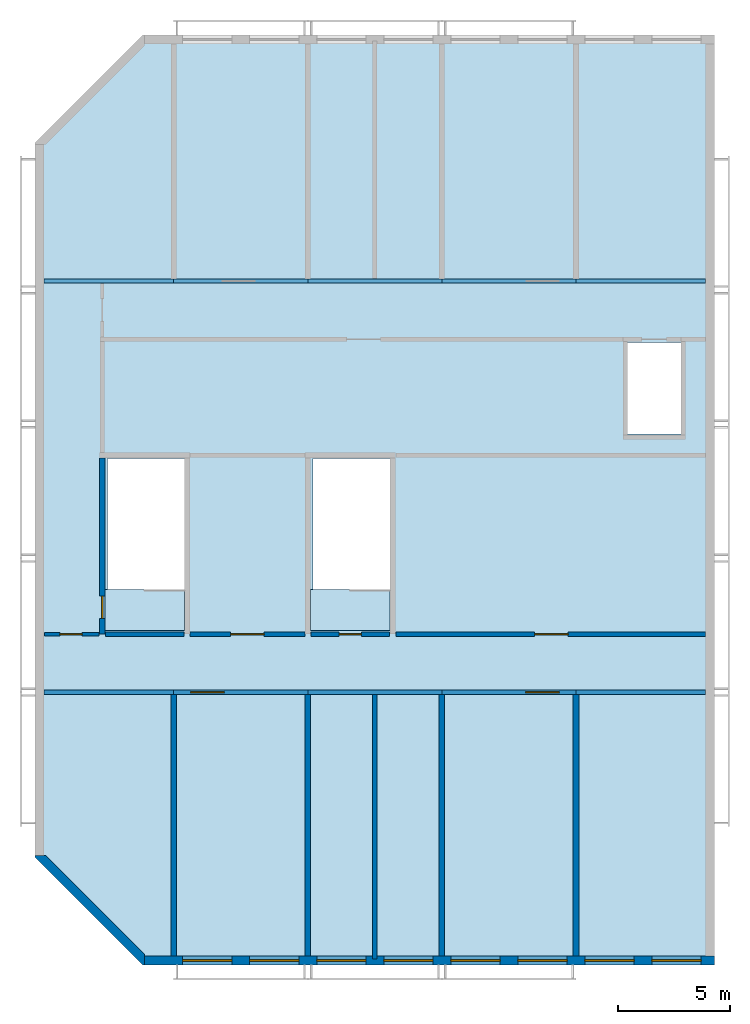
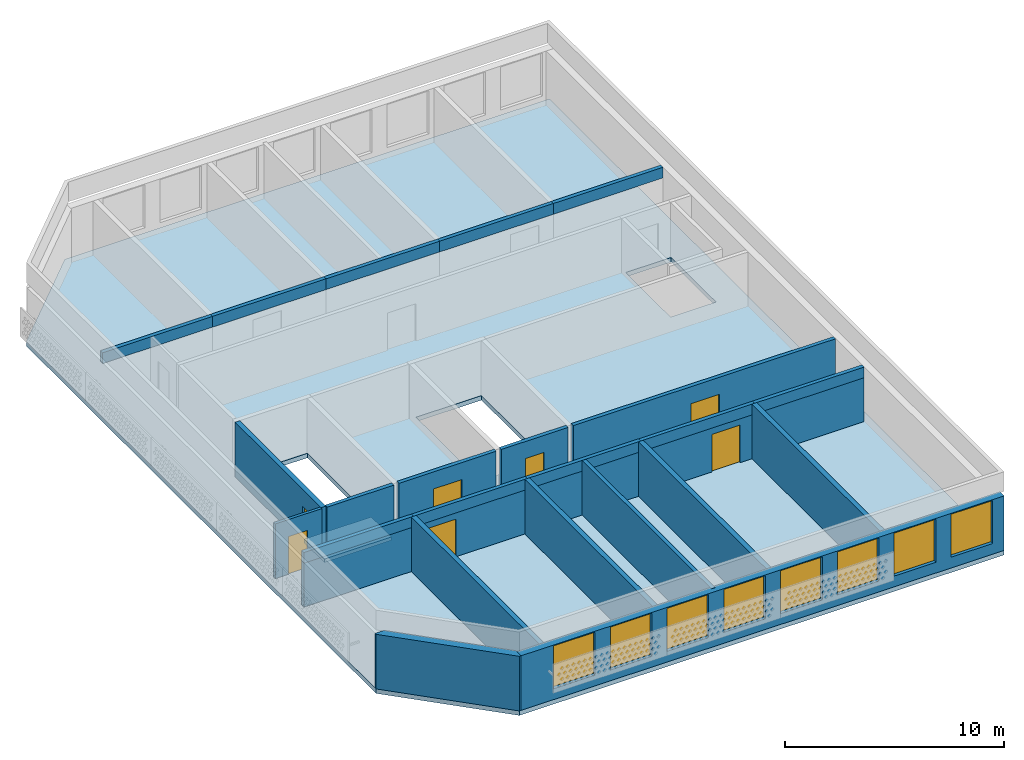
# One storey, part 1 of 7: 18 walls, 10 beams, 8 windows, 7 doors, 3 slabs, 15 openings.
"""IFC4 building model written with IfcOpenShell, lengths in metres."""

from ifc_helpers import new_model, si_unit, direction, frame, frame_2d, origin, origin_2d, place, context, subcontext, project, spatial, polyline, rectangle, outline, extrude, source, transform, mapped, material, layer, layer_set, material_profile, profile_set, type_object, element, fill, save


model = new_model("IFC4")

# Units and contexts
model_context = context("Model", 3, precision=1e-05, world=origin(), true_north=direction((0.0, 1.0)))
body_context = subcontext(model_context, "Body", "Model", "MODEL_VIEW")
ifc_project = project(units=[si_unit("LENGTHUNIT", "METRE"), si_unit("AREAUNIT", "SQUARE_METRE"), si_unit("VOLUMEUNIT", "CUBIC_METRE"), si_unit("PLANEANGLEUNIT", "RADIAN"), si_unit("MASSUNIT", "GRAM", prefix="KILO")], contexts=[model_context])

# Site, building, storey
site_placement = place(None, origin())
site = spatial("IfcSite", under=ifc_project, at=site_placement, CompositionType="ELEMENT")
building_placement = place(site_placement, origin())
building = spatial("IfcBuilding", under=site, at=building_placement, Name="Poui Terraces", CompositionType="ELEMENT")
storey_placement = place(building_placement, frame((0.0, 0.0, 288.89990234375)))
storey = spatial("IfcBuildingStorey", under=building, at=storey_placement, Name="L80 CROWN", CompositionType="ELEMENT", Elevation=288.89990234375)

# Beams
ifc_material_1 = material(Name="Concrete 50 MPa", Category="concrete")
ifc_material_profile = material_profile(ifc_material_1, rectangle(XDim=0.199951171875, YDim=0.60009765625, at=origin_2d()), Name="RC 200x600")
ifc_profile_set = profile_set([ifc_material_profile], Name="Concrete 50 MPa")
beam_type = type_object("IfcBeamType", Name="COUPLING BEAM 200x600 50MPa", PredefinedType="BEAM", material=ifc_profile_set)
shared_shape_1 = source(origin(), body_context, "Body", "SweptSolid", [
    extrude(rectangle(XDim=0.199951171875, YDim=0.60009765625, at=origin_2d()), origin(), (0.0, 0.0, 1.0), 5.800048828125),
])
for number, where, z_axis, x_axis, name in (
    (1, (18.199951171875, 12.0, 2.75), (1.0, 0.0, 0.0), (0.0, 1.0, 0.0), "COUPLING BEAM LINE B BAY W1"),
    (2, (42.0, 12.0, 2.75), (1.0, 0.0, 0.0), (0.0, 1.0, 0.0), "COUPLING BEAM LINE B BAY W5"),
    (3, (18.199951171875, 30.39990234375, 2.75), (1.0, 0.0, 0.0), (0.0, 1.0, 0.0), "COUPLING BEAM LINE E BAY W1"),
    (4, (42.0, 30.39990234375, 2.75), (1.0, 0.0, 0.0), (0.0, 1.0, 0.0), "COUPLING BEAM LINE E BAY W5"),
):
    element("IfcBeam", number, at=place(storey_placement, frame(where, z_axis=z_axis, x_axis=x_axis)), inside=storey, type_object=beam_type, Name=name, PredefinedType="BEAM", context=body_context, shape_type="MappedRepresentation", body=[
        mapped(shared_shape_1, transform((0.0, 0.0, 0.0))),
    ])
shared_shape_2 = source(origin(), body_context, "Body", "SweptSolid", [
    extrude(rectangle(XDim=0.199951171875, YDim=0.60009765625, at=origin_2d()), origin(), (0.0, 0.0, 1.0), 6.0),
])
for number, where, z_axis, x_axis, name in (
    (5, (24.0, 12.0, 2.75), (1.0, 0.0, 0.0), (0.0, 1.0, 0.0), "COUPLING BEAM LINE B BAY W2"),
    (6, (30.0, 12.0, 2.75), (1.0, 0.0, 0.0), (0.0, 1.0, 0.0), "COUPLING BEAM LINE B BAY W3"),
    (7, (36.0, 12.0, 2.75), (1.0, 0.0, 0.0), (0.0, 1.0, 0.0), "COUPLING BEAM LINE B BAY W4"),
    (8, (24.0, 30.39990234375, 2.75), (1.0, 0.0, 0.0), (0.0, 1.0, 0.0), "COUPLING BEAM LINE E BAY W2"),
    (9, (30.0, 30.39990234375, 2.75), (1.0, 0.0, 0.0), (0.0, 1.0, 0.0), "COUPLING BEAM LINE E BAY W3"),
    (10, (36.0, 30.39990234375, 2.75), (1.0, 0.0, 0.0), (0.0, 1.0, 0.0), "COUPLING BEAM LINE E BAY W4"),
):
    element("IfcBeam", number, at=place(storey_placement, frame(where, z_axis=z_axis, x_axis=x_axis)), inside=storey, type_object=beam_type, Name=name, PredefinedType="BEAM", context=body_context, shape_type="MappedRepresentation", body=[
        mapped(shared_shape_2, transform((0.0, 0.0, 0.0))),
    ])

# Slabs
ifc_layer_1 = layer(ifc_material_1, 0.199951171875)
ifc_layer_set_1 = layer_set([ifc_layer_1], Name="Concrete 50 MPa")
slab_type_1 = type_object("IfcSlabType", Name="STAIR LANDING 200 50 MPA", PredefinedType="LANDING", material=ifc_layer_set_1)
slab_1_placement = place(storey_placement, frame((0.0, 0.0, -0.199951171875)))
element("IfcSlab", 11, at=slab_1_placement, inside=storey, type_object=slab_type_1, Name="ST-CW floor landing L80 CROWN", PredefinedType="LANDING", context=body_context, shape_type="SweptSolid", body=[
    extrude(outline(polyline([(30.125, 14.75), (33.675048828125, 14.75), (33.675048828125, 16.60009765625), (30.125, 16.60009765625), (30.125, 14.75)])), origin(), (0.0, 0.0, 1.0), 0.199951171875),
])
slab_2_placement = place(storey_placement, frame((0.0, 0.0, -0.199951171875)))
element("IfcSlab", 12, at=slab_2_placement, inside=storey, type_object=slab_type_1, Name="ST-W floor landing L80 CROWN", PredefinedType="LANDING", context=body_context, shape_type="SweptSolid", body=[
    extrude(outline(polyline([(20.925048828125, 14.75), (24.47509765625, 14.75), (24.47509765625, 16.60009765625), (20.925048828125, 16.60009765625), (20.925048828125, 14.75)])), origin(), (0.0, 0.0, 1.0), 0.199951171875),
])
ifc_material_2 = material(Name="Concrete 40 MPa", Category="concrete")
ifc_layer_2 = layer(ifc_material_2, 0.25)
ifc_layer_set_2 = layer_set([ifc_layer_2], Name="Concrete 40 MPa")
slab_type_2 = type_object("IfcSlabType", Name="FLOOR SLAB 250", PredefinedType="FLOOR", material=ifc_layer_set_2)
shared_shape_3 = source(origin(), body_context, "Body", "SweptSolid", [
    extrude(outline(polyline([(0.0, 0.0), (4.800048828125, -4.800048828125), (30.39990234375, -4.800048828125), (30.39990234375, 36.7998046875), (4.800048828125, 36.7998046875), (0.0, 32.0), (0.0, 0.0)]), holes=[polyline([(3.125, 10.14990234375), (3.125, 12.0), (3.224853515625, 12.0), (3.224853515625, 17.849853515625), (6.675048828125, 17.849853515625), (6.675048828125, 12.0), (6.675048828125, 10.14990234375), (3.125, 10.14990234375)]), polyline([(12.324951171875, 12.0), (12.425048828125, 12.0), (12.425048828125, 17.849853515625), (15.875, 17.849853515625), (15.875, 12.0), (15.875, 10.14990234375), (12.324951171875, 10.14990234375), (12.324951171875, 12.0)]), polyline([(28.89990234375, 23.0498046875), (28.89990234375, 18.949951171875), (26.5, 18.949951171875), (26.5, 23.0498046875), (28.89990234375, 23.0498046875)])]), origin(), (0.0, 0.0, 1.0), 0.25),
])
slab_3_placement = place(storey_placement, frame((17.800048828125, 4.60009765625, -0.25)))
element("IfcSlab", 13, at=slab_3_placement, inside=storey, type_object=slab_type_2, Name="FLOOR SLAB", PredefinedType="FLOOR", context=body_context, shape_type="MappedRepresentation", body=[
    mapped(shared_shape_3, transform((0.0, 0.0, 0.0))),
])

# Wall, opening, door
ifc_material_3 = material(Name="Fire-rated plasterboard wall")
ifc_layer_3 = layer(ifc_material_3, 0.14990234375)
ifc_layer_set_3 = layer_set([ifc_layer_3], Name="Fire-rated plasterboard wall")
wall_type_1 = type_object("IfcWallType", Name="CORRIDOR WALL 150", PredefinedType="PARTITIONING", material=ifc_layer_set_3)
wall_1_placement = place(storey_placement, frame((18.2099609375, 14.60009765625, 0.0), z_axis=(0.0, 0.0, 1.0), x_axis=(1.0, 0.0, 0.0)))
wall_1 = element("IfcWall", 14, at=wall_1_placement, inside=storey, type_object=wall_type_1, Name="CORRIDOR WALL 150", PredefinedType="PARTITIONING", context=body_context, shape_type="SweptSolid", body=[
    extrude(rectangle(XDim=2.455078125, YDim=0.14990234375, at=frame_2d((1.2275390625, 0.0))), origin(), (0.0, 0.0, 1.0), 3.050048828125),
])
opening_1_placement = place(wall_1_placement, frame((0.68994140625, 0.0, 0.0)))
opening_1 = element("IfcOpeningElement", 15, at=opening_1_placement, cuts=wall_1, Name="Opening FDL", PredefinedType="OPENING", context=body_context, shape_type="SweptSolid", body=[
    extrude(rectangle(XDim=1.0, YDim=2.10009765625, at=frame_2d((0.5, 1.050048828125))), frame((0.0, 0.0849609375, 0.0), z_axis=(0.0, -1.0, 0.0), x_axis=(1.0, 0.0, 0.0)), (0.0, 0.0, 1.0), 0.169921875),
])
ifc_material_4 = material(Name="Steel fire door", Category="steel")
door_type_1 = type_object("IfcDoorType", Name="LOBBY FIRE DOOR 1000 X 2100", OperationType="NOTDEFINED", PredefinedType="DOOR", material=ifc_material_4)
door_1_placement = place(opening_1_placement, origin())
door_1 = element("IfcDoor", 16, at=door_1_placement, inside=storey, type_object=door_type_1, Name="LOBBY FIRE DOOR 009", OperationType="SINGLE_SWING_LEFT", OverallHeight=2.10009765625, OverallWidth=1.0, PredefinedType="DOOR", context=body_context, shape_type="SweptSolid", body=[
    extrude(rectangle(XDim=1.0, YDim=2.10009765625, at=frame_2d((0.5, 1.050048828125))), frame((0.0, 0.02490234375, 0.0), z_axis=(0.0, -1.0, 0.0), x_axis=(1.0, 0.0, 0.0)), (0.0, 0.0, 1.0), 0.050048828125),
])
fill(opening_1, door_1)

# Wall
ifc_layer_4 = layer(ifc_material_1, 0.199951171875)
ifc_layer_set_4 = layer_set([ifc_layer_4], Name="Concrete 50 MPa")
wall_type_2 = type_object("IfcWallType", Name="CORRIDOR WALL 200 50MPa", PredefinedType="SHEAR", material=ifc_layer_set_4)
wall_2_placement = place(storey_placement, frame((18.199951171875, 12.0, 0.0), z_axis=(0.0, 0.0, 1.0), x_axis=(1.0, 0.0, 0.0)))
element("IfcWall", 17, at=wall_2_placement, inside=storey, type_object=wall_type_2, Name="CORRIDOR WALL LINE B BAY W1", PredefinedType="SHEAR", context=body_context, shape_type="SweptSolid", body=[
    extrude(rectangle(XDim=5.800048828125, YDim=0.199951171875, at=frame_2d((2.89990234375, 0.0))), origin(), (0.0, 0.0, 1.0), 2.4501953125),
])

# Wall, opening, door
wall_3_placement = place(storey_placement, frame((24.0, 12.0, 0.0), z_axis=(0.0, 0.0, 1.0), x_axis=(1.0, 0.0, 0.0)))
wall_3 = element("IfcWall", 18, at=wall_3_placement, inside=storey, type_object=wall_type_2, Name="CORRIDOR WALL LINE B BAY W2", PredefinedType="SHEAR", context=body_context, shape_type="SweptSolid", body=[
    extrude(rectangle(XDim=6.0, YDim=0.199951171875, at=frame_2d((3.0, 0.0))), origin(), (0.0, 0.0, 1.0), 2.4501953125),
])
opening_2_placement = place(wall_3_placement, frame((0.75, 0.0, 0.0)))
opening_2 = element("IfcOpeningElement", 19, at=opening_2_placement, cuts=wall_3, Name="Opening FDP", PredefinedType="OPENING", context=body_context, shape_type="SweptSolid", body=[
    extrude(rectangle(XDim=1.5, YDim=2.10009765625, at=frame_2d((0.75, 1.050048828125))), frame((0.0, 0.10986328125, 0.0), z_axis=(0.0, -1.0, 0.0), x_axis=(1.0, 0.0, 0.0)), (0.0, 0.0, 1.0), 0.219970703125),
])
door_type_2 = type_object("IfcDoorType", Name="PLANT ROOM DOOR PAIR 1500 X 2100", OperationType="DOUBLE_DOOR_SINGLE_SWING", PredefinedType="DOOR", material=ifc_material_4)
door_2_placement = place(opening_2_placement, origin())
door_2 = element("IfcDoor", 20, at=door_2_placement, inside=storey, type_object=door_type_2, Name="PLANT ROOM DOOR PAIR 005", OperationType="DOUBLE_DOOR_SINGLE_SWING", OverallHeight=2.10009765625, OverallWidth=1.5, PredefinedType="DOOR", context=body_context, shape_type="SweptSolid", body=[
    extrude(rectangle(XDim=1.5, YDim=2.10009765625, at=frame_2d((0.75, 1.050048828125))), frame((0.0, 0.02490234375, 0.0), z_axis=(0.0, -1.0, 0.0), x_axis=(1.0, 0.0, 0.0)), (0.0, 0.0, 1.0), 0.050048828125),
])
fill(opening_2, door_2)

# Wall
wall_4_placement = place(storey_placement, frame((30.0, 12.0, 0.0), z_axis=(0.0, 0.0, 1.0), x_axis=(1.0, 0.0, 0.0)))
element("IfcWall", 21, at=wall_4_placement, inside=storey, type_object=wall_type_2, Name="CORRIDOR WALL LINE B BAY W3", PredefinedType="SHEAR", context=body_context, shape_type="SweptSolid", body=[
    extrude(rectangle(XDim=6.0, YDim=0.199951171875, at=frame_2d((3.0, 0.0))), origin(), (0.0, 0.0, 1.0), 2.4501953125),
])

# Wall, opening, door
wall_5_placement = place(storey_placement, frame((36.0, 12.0, 0.0), z_axis=(0.0, 0.0, 1.0), x_axis=(1.0, 0.0, 0.0)))
wall_5 = element("IfcWall", 22, at=wall_5_placement, inside=storey, type_object=wall_type_2, Name="CORRIDOR WALL LINE B BAY W4", PredefinedType="SHEAR", context=body_context, shape_type="SweptSolid", body=[
    extrude(rectangle(XDim=6.0, YDim=0.199951171875, at=frame_2d((3.0, 0.0))), origin(), (0.0, 0.0, 1.0), 2.4501953125),
])
opening_3_placement = place(wall_5_placement, frame((3.75, 0.0, 0.0)))
opening_3 = element("IfcOpeningElement", 23, at=opening_3_placement, cuts=wall_5, Name="Opening FDP", PredefinedType="OPENING", context=body_context, shape_type="SweptSolid", body=[
    extrude(rectangle(XDim=1.5, YDim=2.10009765625, at=frame_2d((0.75, 1.050048828125))), frame((0.0, 0.10986328125, 0.0), z_axis=(0.0, -1.0, 0.0), x_axis=(1.0, 0.0, 0.0)), (0.0, 0.0, 1.0), 0.219970703125),
])
door_3_placement = place(opening_3_placement, origin())
door_3 = element("IfcDoor", 24, at=door_3_placement, inside=storey, type_object=door_type_2, Name="PLANT ROOM DOOR PAIR 007", OperationType="DOUBLE_DOOR_SINGLE_SWING", OverallHeight=2.10009765625, OverallWidth=1.5, PredefinedType="DOOR", context=body_context, shape_type="SweptSolid", body=[
    extrude(rectangle(XDim=1.5, YDim=2.10009765625, at=frame_2d((0.75, 1.050048828125))), frame((0.0, 0.02490234375, 0.0), z_axis=(0.0, -1.0, 0.0), x_axis=(1.0, 0.0, 0.0)), (0.0, 0.0, 1.0), 0.050048828125),
])
fill(opening_3, door_3)

# Walls
wall_6_placement = place(storey_placement, frame((42.0, 12.0, 0.0), z_axis=(0.0, 0.0, 1.0), x_axis=(1.0, 0.0, 0.0)))
element("IfcWall", 25, at=wall_6_placement, inside=storey, type_object=wall_type_2, Name="CORRIDOR WALL LINE B BAY W5", PredefinedType="SHEAR", context=body_context, shape_type="SweptSolid", body=[
    extrude(rectangle(XDim=5.800048828125, YDim=0.199951171875, at=frame_2d((2.89990234375, 0.0))), origin(), (0.0, 0.0, 1.0), 2.4501953125),
])
ifc_layer_5 = layer(ifc_material_1, 0.25)
ifc_layer_set_5 = layer_set([ifc_layer_5], Name="Concrete 50 MPa")
wall_type_3 = type_object("IfcWallType", Name="CROSS WALL 250 50MPa", PredefinedType="SHEAR", material=ifc_layer_set_5)
for number, where, z_axis, x_axis, name in (
    (26, (24.0, 0.199951171875, 0.0), (0.0, 0.0, 1.0), (0.0, 1.0, 0.0), "CROSS WALL LINE 5 SOUTH"),
    (27, (30.0, 0.199951171875, 0.0), (0.0, 0.0, 1.0), (0.0, 1.0, 0.0), "CROSS WALL LINE 6 SOUTH"),
    (28, (36.0, 0.199951171875, 0.0), (0.0, 0.0, 1.0), (0.0, 1.0, 0.0), "CROSS WALL LINE 7 SOUTH"),
    (29, (42.0, 0.199951171875, 0.0), (0.0, 0.0, 1.0), (0.0, 1.0, 0.0), "CROSS WALL LINE 8 SOUTH"),
):
    element("IfcWall", number, at=place(storey_placement, frame(where, z_axis=z_axis, x_axis=x_axis)), inside=storey, type_object=wall_type_3, Name=name, PredefinedType="SHEAR", context=body_context, shape_type="SweptSolid", body=[
        extrude(rectangle(XDim=11.699951171875, YDim=0.25, at=frame_2d((5.85009765625, 0.0))), origin(), (0.0, 0.0, 1.0), 3.050048828125),
    ])

# Wall, openings, windows
ifc_material_5 = material(Name="Precast concrete 40 MPa", Category="concrete")
ifc_layer_6 = layer(ifc_material_5, 0.39990234375)
ifc_layer_set_6 = layer_set([ifc_layer_6], Name="Precast concrete 40 MPa")
wall_type_4 = type_object("IfcWallType", Name="EXTERNAL WALL 400", PredefinedType="STANDARD", material=ifc_layer_set_6)
wall_7_placement = place(storey_placement, frame((22.682861328125, 0.0, 0.0), z_axis=(0.0, 0.0, 1.0), x_axis=(1.0, 0.0, 0.0)))
wall_7 = element("IfcWall", 30, at=wall_7_placement, inside=storey, type_object=wall_type_4, Name="EXTERNAL WALL S", PredefinedType="STANDARD", context=body_context, shape_type="SweptSolid", body=[
    extrude(rectangle(XDim=25.51708984375, YDim=0.39990234375, at=frame_2d((12.758544921875, 0.0))), origin(), (0.0, 0.0, 1.0), 3.050048828125),
])
opening_4_placement = place(wall_7_placement, frame((1.71728515625, 0.0, 0.60009765625)))
opening_4 = element("IfcOpeningElement", 31, at=opening_4_placement, cuts=wall_7, Name="Opening W5", PredefinedType="OPENING", context=body_context, shape_type="SweptSolid", body=[
    extrude(rectangle(XDim=2.199951171875, YDim=2.39990234375, at=frame_2d((1.10009765625, 1.199951171875))), frame((0.0, 0.2099609375, 0.0), z_axis=(0.0, -1.0, 0.0), x_axis=(1.0, 0.0, 0.0)), (0.0, 0.0, 1.0), 0.419921875),
])
opening_5_placement = place(wall_7_placement, frame((4.71728515625, 0.0, 0.60009765625)))
opening_5 = element("IfcOpeningElement", 32, at=opening_5_placement, cuts=wall_7, Name="Opening W5", PredefinedType="OPENING", context=body_context, shape_type="SweptSolid", body=[
    extrude(rectangle(XDim=2.199951171875, YDim=2.39990234375, at=frame_2d((1.10009765625, 1.199951171875))), frame((0.0, 0.2099609375, 0.0), z_axis=(0.0, -1.0, 0.0), x_axis=(1.0, 0.0, 0.0)), (0.0, 0.0, 1.0), 0.419921875),
])
opening_6_placement = place(wall_7_placement, frame((7.71728515625, 0.0, 0.60009765625)))
opening_6 = element("IfcOpeningElement", 33, at=opening_6_placement, cuts=wall_7, Name="Opening W5", PredefinedType="OPENING", context=body_context, shape_type="SweptSolid", body=[
    extrude(rectangle(XDim=2.199951171875, YDim=2.39990234375, at=frame_2d((1.10009765625, 1.199951171875))), frame((0.0, 0.2099609375, 0.0), z_axis=(0.0, -1.0, 0.0), x_axis=(1.0, 0.0, 0.0)), (0.0, 0.0, 1.0), 0.419921875),
])
opening_7_placement = place(wall_7_placement, frame((10.71728515625, 0.0, 0.60009765625)))
opening_7 = element("IfcOpeningElement", 34, at=opening_7_placement, cuts=wall_7, Name="Opening W5", PredefinedType="OPENING", context=body_context, shape_type="SweptSolid", body=[
    extrude(rectangle(XDim=2.199951171875, YDim=2.39990234375, at=frame_2d((1.10009765625, 1.199951171875))), frame((0.0, 0.2099609375, 0.0), z_axis=(0.0, -1.0, 0.0), x_axis=(1.0, 0.0, 0.0)), (0.0, 0.0, 1.0), 0.419921875),
])
opening_8_placement = place(wall_7_placement, frame((13.71728515625, 0.0, 0.60009765625)))
opening_8 = element("IfcOpeningElement", 35, at=opening_8_placement, cuts=wall_7, Name="Opening W5", PredefinedType="OPENING", context=body_context, shape_type="SweptSolid", body=[
    extrude(rectangle(XDim=2.199951171875, YDim=2.39990234375, at=frame_2d((1.10009765625, 1.199951171875))), frame((0.0, 0.2099609375, 0.0), z_axis=(0.0, -1.0, 0.0), x_axis=(1.0, 0.0, 0.0)), (0.0, 0.0, 1.0), 0.419921875),
])
opening_9_placement = place(wall_7_placement, frame((16.71728515625, 0.0, 0.60009765625)))
opening_9 = element("IfcOpeningElement", 36, at=opening_9_placement, cuts=wall_7, Name="Opening W5", PredefinedType="OPENING", context=body_context, shape_type="SweptSolid", body=[
    extrude(rectangle(XDim=2.199951171875, YDim=2.39990234375, at=frame_2d((1.10009765625, 1.199951171875))), frame((0.0, 0.2099609375, 0.0), z_axis=(0.0, -1.0, 0.0), x_axis=(1.0, 0.0, 0.0)), (0.0, 0.0, 1.0), 0.419921875),
])
opening_10_placement = place(wall_7_placement, frame((19.71728515625, 0.0, 0.60009765625)))
opening_10 = element("IfcOpeningElement", 37, at=opening_10_placement, cuts=wall_7, Name="Opening W5", PredefinedType="OPENING", context=body_context, shape_type="SweptSolid", body=[
    extrude(rectangle(XDim=2.199951171875, YDim=2.39990234375, at=frame_2d((1.10009765625, 1.199951171875))), frame((0.0, 0.2099609375, 0.0), z_axis=(0.0, -1.0, 0.0), x_axis=(1.0, 0.0, 0.0)), (0.0, 0.0, 1.0), 0.419921875),
])
opening_11_placement = place(wall_7_placement, frame((22.71728515625, 0.0, 0.60009765625)))
opening_11 = element("IfcOpeningElement", 38, at=opening_11_placement, cuts=wall_7, Name="Opening W5", PredefinedType="OPENING", context=body_context, shape_type="SweptSolid", body=[
    extrude(rectangle(XDim=2.199951171875, YDim=2.39990234375, at=frame_2d((1.10009765625, 1.199951171875))), frame((0.0, 0.2099609375, 0.0), z_axis=(0.0, -1.0, 0.0), x_axis=(1.0, 0.0, 0.0)), (0.0, 0.0, 1.0), 0.419921875),
])
ifc_material_6 = material(Name="Clear glass in aluminium frame", Category="aluminium")
window_type = type_object("IfcWindowType", Name="WINDOW 2200X2400", PartitioningType="TRIPLE_PANEL_HORIZONTAL", PredefinedType="WINDOW", material=ifc_material_6)
window_1_placement = place(opening_4_placement, origin())
window_1 = element("IfcWindow", 39, at=window_1_placement, inside=storey, type_object=window_type, Name="W5 WINDOW", OverallHeight=2.39990234375, OverallWidth=2.199951171875, PartitioningType="TRIPLE_PANEL_HORIZONTAL", PredefinedType="WINDOW", context=body_context, shape_type="SweptSolid", body=[
    extrude(rectangle(XDim=2.199951171875, YDim=2.39990234375, at=frame_2d((1.10009765625, 1.199951171875))), frame((0.0, 0.030029296875, 0.0), z_axis=(0.0, -1.0, 0.0), x_axis=(1.0, 0.0, 0.0)), (0.0, 0.0, 1.0), 0.06005859375),
])
fill(opening_4, window_1)
window_2_placement = place(opening_5_placement, origin())
window_2 = element("IfcWindow", 40, at=window_2_placement, inside=storey, type_object=window_type, Name="W5 WINDOW", OverallHeight=2.39990234375, OverallWidth=2.199951171875, PartitioningType="TRIPLE_PANEL_HORIZONTAL", PredefinedType="WINDOW", context=body_context, shape_type="SweptSolid", body=[
    extrude(rectangle(XDim=2.199951171875, YDim=2.39990234375, at=frame_2d((1.10009765625, 1.199951171875))), frame((0.0, 0.030029296875, 0.0), z_axis=(0.0, -1.0, 0.0), x_axis=(1.0, 0.0, 0.0)), (0.0, 0.0, 1.0), 0.06005859375),
])
fill(opening_5, window_2)
window_3_placement = place(opening_6_placement, origin())
window_3 = element("IfcWindow", 41, at=window_3_placement, inside=storey, type_object=window_type, Name="W5 WINDOW", OverallHeight=2.39990234375, OverallWidth=2.199951171875, PartitioningType="TRIPLE_PANEL_HORIZONTAL", PredefinedType="WINDOW", context=body_context, shape_type="SweptSolid", body=[
    extrude(rectangle(XDim=2.199951171875, YDim=2.39990234375, at=frame_2d((1.10009765625, 1.199951171875))), frame((0.0, 0.030029296875, 0.0), z_axis=(0.0, -1.0, 0.0), x_axis=(1.0, 0.0, 0.0)), (0.0, 0.0, 1.0), 0.06005859375),
])
fill(opening_6, window_3)
window_4_placement = place(opening_7_placement, origin())
window_4 = element("IfcWindow", 42, at=window_4_placement, inside=storey, type_object=window_type, Name="W5 WINDOW", OverallHeight=2.39990234375, OverallWidth=2.199951171875, PartitioningType="TRIPLE_PANEL_HORIZONTAL", PredefinedType="WINDOW", context=body_context, shape_type="SweptSolid", body=[
    extrude(rectangle(XDim=2.199951171875, YDim=2.39990234375, at=frame_2d((1.10009765625, 1.199951171875))), frame((0.0, 0.030029296875, 0.0), z_axis=(0.0, -1.0, 0.0), x_axis=(1.0, 0.0, 0.0)), (0.0, 0.0, 1.0), 0.06005859375),
])
fill(opening_7, window_4)
window_5_placement = place(opening_8_placement, origin())
window_5 = element("IfcWindow", 43, at=window_5_placement, inside=storey, type_object=window_type, Name="W5 WINDOW", OverallHeight=2.39990234375, OverallWidth=2.199951171875, PartitioningType="TRIPLE_PANEL_HORIZONTAL", PredefinedType="WINDOW", context=body_context, shape_type="SweptSolid", body=[
    extrude(rectangle(XDim=2.199951171875, YDim=2.39990234375, at=frame_2d((1.10009765625, 1.199951171875))), frame((0.0, 0.030029296875, 0.0), z_axis=(0.0, -1.0, 0.0), x_axis=(1.0, 0.0, 0.0)), (0.0, 0.0, 1.0), 0.06005859375),
])
fill(opening_8, window_5)
window_6_placement = place(opening_9_placement, origin())
window_6 = element("IfcWindow", 44, at=window_6_placement, inside=storey, type_object=window_type, Name="W5 WINDOW", OverallHeight=2.39990234375, OverallWidth=2.199951171875, PartitioningType="TRIPLE_PANEL_HORIZONTAL", PredefinedType="WINDOW", context=body_context, shape_type="SweptSolid", body=[
    extrude(rectangle(XDim=2.199951171875, YDim=2.39990234375, at=frame_2d((1.10009765625, 1.199951171875))), frame((0.0, 0.030029296875, 0.0), z_axis=(0.0, -1.0, 0.0), x_axis=(1.0, 0.0, 0.0)), (0.0, 0.0, 1.0), 0.06005859375),
])
fill(opening_9, window_6)
window_7_placement = place(opening_10_placement, origin())
window_7 = element("IfcWindow", 45, at=window_7_placement, inside=storey, type_object=window_type, Name="W5 WINDOW", OverallHeight=2.39990234375, OverallWidth=2.199951171875, PartitioningType="TRIPLE_PANEL_HORIZONTAL", PredefinedType="WINDOW", context=body_context, shape_type="SweptSolid", body=[
    extrude(rectangle(XDim=2.199951171875, YDim=2.39990234375, at=frame_2d((1.10009765625, 1.199951171875))), frame((0.0, 0.030029296875, 0.0), z_axis=(0.0, -1.0, 0.0), x_axis=(1.0, 0.0, 0.0)), (0.0, 0.0, 1.0), 0.06005859375),
])
fill(opening_10, window_7)
window_8_placement = place(opening_11_placement, origin())
window_8 = element("IfcWindow", 46, at=window_8_placement, inside=storey, type_object=window_type, Name="W5 WINDOW", OverallHeight=2.39990234375, OverallWidth=2.199951171875, PartitioningType="TRIPLE_PANEL_HORIZONTAL", PredefinedType="WINDOW", context=body_context, shape_type="SweptSolid", body=[
    extrude(rectangle(XDim=2.199951171875, YDim=2.39990234375, at=frame_2d((1.10009765625, 1.199951171875))), frame((0.0, 0.030029296875, 0.0), z_axis=(0.0, -1.0, 0.0), x_axis=(1.0, 0.0, 0.0)), (0.0, 0.0, 1.0), 0.06005859375),
])
fill(opening_11, window_8)

# Wall, opening, door
ifc_material_7 = material(Name="Fire-rated masonry wall", Category="masonry")
ifc_layer_7 = layer(ifc_material_7, 0.199951171875)
ifc_layer_set_7 = layer_set([ifc_layer_7], Name="Fire-rated masonry wall")
wall_type_5 = type_object("IfcWallType", Name="PLANT ROOM WALL 200", PredefinedType="PARTITIONING", material=ifc_layer_set_7)
wall_8_placement = place(storey_placement, frame((24.735107421875, 14.60009765625, 0.0), z_axis=(0.0, 0.0, 1.0), x_axis=(1.0, 0.0, 0.0)))
wall_8 = element("IfcWall", 47, at=wall_8_placement, inside=storey, type_object=wall_type_5, Name="PLANT ROOM WALL 200", PredefinedType="PARTITIONING", context=body_context, shape_type="SweptSolid", body=[
    extrude(rectangle(XDim=5.1298828125, YDim=0.199951171875, at=frame_2d((2.56494140625, 0.0))), origin(), (0.0, 0.0, 1.0), 3.050048828125),
])
opening_12_placement = place(wall_8_placement, frame((1.81494140625, 0.0, 0.0)))
opening_12 = element("IfcOpeningElement", 48, at=opening_12_placement, cuts=wall_8, Name="Opening FDP", PredefinedType="OPENING", context=body_context, shape_type="SweptSolid", body=[
    extrude(rectangle(XDim=1.5, YDim=2.10009765625, at=frame_2d((0.75, 1.050048828125))), frame((0.0, 0.10986328125, 0.0), z_axis=(0.0, -1.0, 0.0), x_axis=(1.0, 0.0, 0.0)), (0.0, 0.0, 1.0), 0.219970703125),
])
door_4_placement = place(opening_12_placement, frame((1.5, 0.0, 0.0), z_axis=(0.0, 0.0, 1.0), x_axis=(-1.0, 0.0, 0.0)))
door_4 = element("IfcDoor", 49, at=door_4_placement, inside=storey, type_object=door_type_2, Name="PLANT ROOM DOOR PAIR 006", OperationType="DOUBLE_DOOR_SINGLE_SWING", OverallHeight=2.10009765625, OverallWidth=1.5, PredefinedType="DOOR", context=body_context, shape_type="SweptSolid", body=[
    extrude(rectangle(XDim=1.5, YDim=2.10009765625, at=frame_2d((0.75, 1.050048828125))), frame((0.0, 0.02490234375, 0.0), z_axis=(0.0, -1.0, 0.0), x_axis=(1.0, 0.0, 0.0)), (0.0, 0.0, 1.0), 0.050048828125),
])
fill(opening_12, door_4)

wall_9_placement = place(storey_placement, frame((33.93505859375, 14.60009765625, 0.0), z_axis=(0.0, 0.0, 1.0), x_axis=(1.0, 0.0, 0.0)))
wall_9 = element("IfcWall", 50, at=wall_9_placement, inside=storey, type_object=wall_type_5, Name="PLANT ROOM WALL 200", PredefinedType="PARTITIONING", context=body_context, shape_type="SweptSolid", body=[
    extrude(rectangle(XDim=13.85498046875, YDim=0.199951171875, at=frame_2d((6.927490234375, 0.0))), origin(), (0.0, 0.0, 1.0), 3.050048828125),
])
opening_13_placement = place(wall_9_placement, frame((6.215087890625, 0.0, 0.0)))
opening_13 = element("IfcOpeningElement", 51, at=opening_13_placement, cuts=wall_9, Name="Opening FDP", PredefinedType="OPENING", context=body_context, shape_type="SweptSolid", body=[
    extrude(rectangle(XDim=1.5, YDim=2.10009765625, at=frame_2d((0.75, 1.050048828125))), frame((0.0, 0.10986328125, 0.0), z_axis=(0.0, -1.0, 0.0), x_axis=(1.0, 0.0, 0.0)), (0.0, 0.0, 1.0), 0.219970703125),
])
door_5_placement = place(opening_13_placement, frame((1.5, 0.0, 0.0), z_axis=(0.0, 0.0, 1.0), x_axis=(-1.0, 0.0, 0.0)))
door_5 = element("IfcDoor", 52, at=door_5_placement, inside=storey, type_object=door_type_2, Name="PLANT ROOM DOOR PAIR 008", OperationType="DOUBLE_DOOR_SINGLE_SWING", OverallHeight=2.10009765625, OverallWidth=1.5, PredefinedType="DOOR", context=body_context, shape_type="SweptSolid", body=[
    extrude(rectangle(XDim=1.5, YDim=2.10009765625, at=frame_2d((0.75, 1.050048828125))), frame((0.0, 0.02490234375, 0.0), z_axis=(0.0, -1.0, 0.0), x_axis=(1.0, 0.0, 0.0)), (0.0, 0.0, 1.0), 0.050048828125),
])
fill(opening_13, door_5)

# Wall
wall_10_placement = place(storey_placement, frame((33.0, 0.06005859375, 0.0), z_axis=(0.0, 0.0, 1.0), x_axis=(0.0, 1.0, 0.0)))
element("IfcWall", 53, at=wall_10_placement, inside=storey, type_object=wall_type_5, Name="PLANT ROOM WALL 200", PredefinedType="PARTITIONING", context=body_context, shape_type="SweptSolid", body=[
    extrude(rectangle(XDim=11.829833984375, YDim=0.199951171875, at=frame_2d((5.9150390625, 0.0))), origin(), (0.0, 0.0, 1.0), 3.050048828125),
])

# Wall, opening, door
ifc_layer_8 = layer(ifc_material_1, 0.25)
ifc_layer_set_8 = layer_set([ifc_layer_8], Name="Concrete 50 MPa")
wall_type_6 = type_object("IfcWallType", Name="STAIR CORE WALL 250 50 MPA", PredefinedType="SOLIDWALL", material=ifc_layer_set_8)
wall_11_placement = place(storey_placement, frame((20.800048828125, 14.60009765625, 0.0), z_axis=(0.0, 0.0, 1.0), x_axis=(0.0, 1.0, 0.0)))
wall_11 = element("IfcWall", 54, at=wall_11_placement, inside=storey, type_object=wall_type_6, Name="STAIR CORE WALL", PredefinedType="SOLIDWALL", context=body_context, shape_type="SweptSolid", body=[
    extrude(rectangle(XDim=7.875, YDim=0.25, at=frame_2d((3.9375, 0.0))), origin(), (0.0, 0.0, 1.0), 3.050048828125),
])
opening_14_placement = place(wall_11_placement, frame((0.699951171875, 0.0, 0.0)))
opening_14 = element("IfcOpeningElement", 55, at=opening_14_placement, cuts=wall_11, Name="Opening FD60S", PredefinedType="OPENING", context=body_context, shape_type="SweptSolid", body=[
    extrude(rectangle(XDim=1.0, YDim=2.10009765625, at=frame_2d((0.5, 1.050048828125))), frame((0.0, 0.135009765625, 0.0), z_axis=(0.0, -1.0, 0.0), x_axis=(1.0, 0.0, 0.0)), (0.0, 0.0, 1.0), 0.27001953125),
])
door_type_3 = type_object("IfcDoorType", Name="STAIR DOOR 1000 X 2100", OperationType="NOTDEFINED", PredefinedType="DOOR", material=ifc_material_4)
door_6_placement = place(opening_14_placement, frame((1.0, 0.0, 0.0), z_axis=(0.0, 0.0, 1.0), x_axis=(-1.0, 0.0, 0.0)))
door_6 = element("IfcDoor", 56, at=door_6_placement, inside=storey, type_object=door_type_3, Name="STAIR DOOR 010", OperationType="SINGLE_SWING_LEFT", OverallHeight=2.10009765625, OverallWidth=1.0, PredefinedType="DOOR", context=body_context, shape_type="SweptSolid", body=[
    extrude(rectangle(XDim=1.0, YDim=2.10009765625, at=frame_2d((0.5, 1.050048828125))), frame((0.0, 0.02490234375, 0.0), z_axis=(0.0, -1.0, 0.0), x_axis=(1.0, 0.0, 0.0)), (0.0, 0.0, 1.0), 0.050048828125),
])
fill(opening_14, door_6)

# Wall
ifc_layer_9 = layer(ifc_material_7, 0.199951171875)
ifc_layer_set_9 = layer_set([ifc_layer_9], Name="Fire-rated masonry wall")
wall_type_7 = type_object("IfcWallType", Name="STAIR WALL 200", PredefinedType="PARTITIONING", material=ifc_layer_set_9)
wall_12_placement = place(storey_placement, frame((20.93505859375, 14.60009765625, 0.0), z_axis=(0.0, 0.0, 1.0), x_axis=(1.0, 0.0, 0.0)))
element("IfcWall", 57, at=wall_12_placement, inside=storey, type_object=wall_type_7, Name="STAIR WALL 200", PredefinedType="PARTITIONING", context=body_context, shape_type="SweptSolid", body=[
    extrude(rectangle(XDim=3.530029296875, YDim=0.199951171875, at=frame_2d((1.76513671875, 0.0))), origin(), (0.0, 0.0, 1.0), 3.050048828125),
])

# Wall, opening, door
wall_13_placement = place(storey_placement, frame((30.135009765625, 14.60009765625, 0.0), z_axis=(0.0, 0.0, 1.0), x_axis=(1.0, 0.0, 0.0)))
wall_13 = element("IfcWall", 58, at=wall_13_placement, inside=storey, type_object=wall_type_7, Name="STAIR WALL 200", PredefinedType="PARTITIONING", context=body_context, shape_type="SweptSolid", body=[
    extrude(rectangle(XDim=3.530029296875, YDim=0.199951171875, at=frame_2d((1.76513671875, 0.0))), origin(), (0.0, 0.0, 1.0), 3.050048828125),
])
opening_15_placement = place(wall_13_placement, frame((1.264892578125, 0.0, 0.0)))
opening_15 = element("IfcOpeningElement", 59, at=opening_15_placement, cuts=wall_13, Name="Opening FD60S", PredefinedType="OPENING", context=body_context, shape_type="SweptSolid", body=[
    extrude(rectangle(XDim=1.0, YDim=2.10009765625, at=frame_2d((0.5, 1.050048828125))), frame((0.0, 0.10986328125, 0.0), z_axis=(0.0, -1.0, 0.0), x_axis=(1.0, 0.0, 0.0)), (0.0, 0.0, 1.0), 0.219970703125),
])
door_7_placement = place(opening_15_placement, frame((1.0, 0.0, 0.0), z_axis=(0.0, 0.0, 1.0), x_axis=(-1.0, 0.0, 0.0)))
door_7 = element("IfcDoor", 60, at=door_7_placement, inside=storey, type_object=door_type_3, Name="STAIR DOOR 012", OperationType="SINGLE_SWING_RIGHT", OverallHeight=2.10009765625, OverallWidth=1.0, PredefinedType="DOOR", context=body_context, shape_type="SweptSolid", body=[
    extrude(rectangle(XDim=1.0, YDim=2.10009765625, at=frame_2d((0.5, 1.050048828125))), frame((0.0, 0.02490234375, 0.0), z_axis=(0.0, -1.0, 0.0), x_axis=(1.0, 0.0, 0.0)), (0.0, 0.0, 1.0), 0.050048828125),
])
fill(opening_15, door_7)

# Wall
ifc_layer_10 = layer(ifc_material_5, 0.39990234375)
ifc_layer_set_10 = layer_set([ifc_layer_10], Name="Precast concrete 40 MPa")
wall_type_8 = type_object("IfcWallType", Name="TERRACOTTA CLAD CHAMFER WALL 400", PredefinedType="STANDARD", material=ifc_layer_set_10)
wall_14_placement = place(storey_placement, origin())
element("IfcWall", 61, at=wall_14_placement, inside=storey, type_object=wall_type_8, Name="CHAMFER WALL CH05", PredefinedType="STANDARD", context=body_context, shape_type="SweptSolid", body=[
    extrude(outline(polyline([(17.800048828125, 4.682861328125), (17.800048828125, 4.60009765625), (22.60009765625, -0.199951171875), (22.682861328125, -0.199951171875), (22.682861328125, 0.28271484375), (18.28271484375, 4.682861328125), (17.800048828125, 4.682861328125)])), origin(), (0.0, 0.0, 1.0), 3.050048828125),
])

save(model, "model.ifc")
